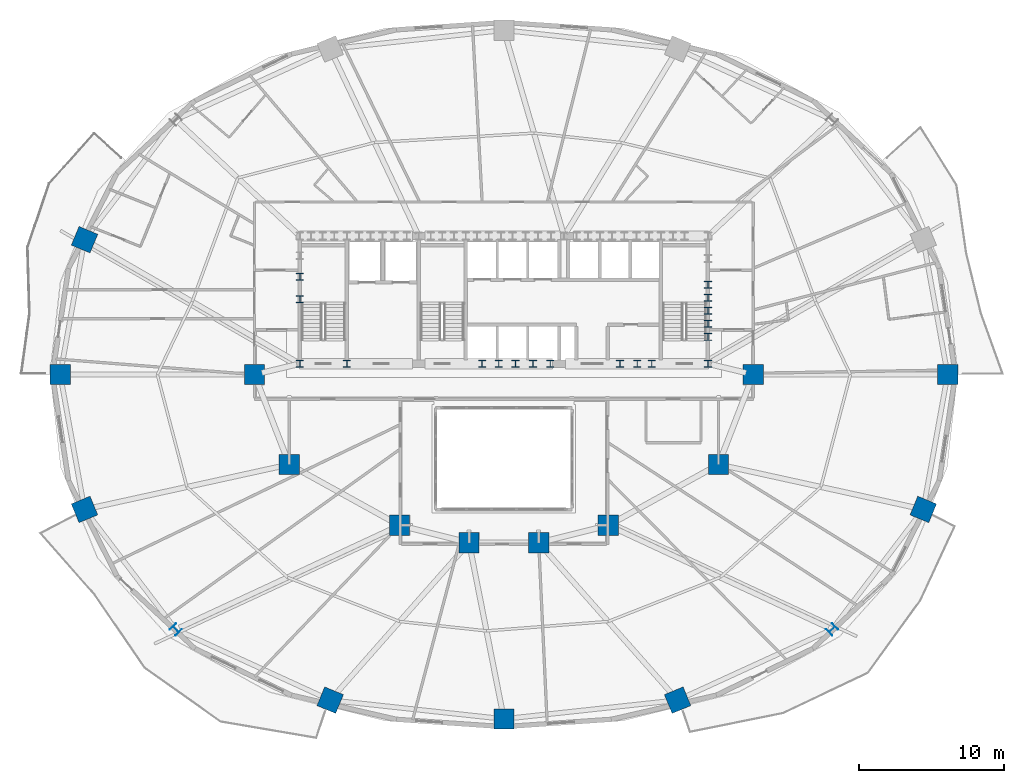
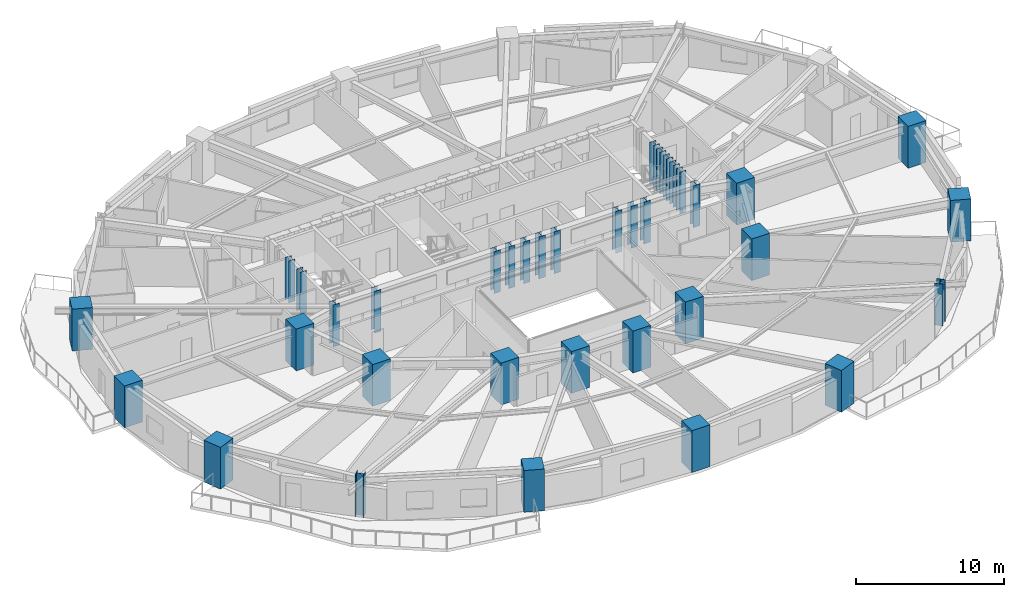
# One storey, part 1 of 17: 36 columns.
"""IFC4 building model written with IfcOpenShell, lengths in metres."""

import ifcopenshell
import ifcopenshell.guid

model = None  # the IFC model being written
_history = None  # IfcOwnerHistory: only IFC2X3 demands one
_inside = {}  # id of a spatial element -> (the spatial element, [elements in it])
_under = {}  # id of a project, library or spatial element -> (it, [spatial elements below it])
_declared = {}  # id of a project -> (the project, [libraries it declares])
_typed = {}  # id of a type object -> (the type object, [elements of that type])
_made_of = {}  # id of a material, layer set ... -> (it, [elements and type objects made of it])


def new_model(schema):
    """Start an empty IFC model of exactly this schema.

    Asked for "IFC4X3", IfcOpenShell would pick the latest addendum, in which some entities
    have other attributes; the version numbers below select the first issue.
    IFC2X3 requires an IfcOwnerHistory on every rooted entity: one is made here for all.
    """
    global model, _history
    if schema == "IFC4X3":
        model = ifcopenshell.file(schema_version=(4, 3, 0, 0))
    else:
        model = ifcopenshell.file(schema=schema)
    _inside.clear()
    _under.clear()
    _declared.clear()
    _typed.clear()
    _made_of.clear()
    _history = None
    if model.schema == "IFC2X3":
        org = make("IfcOrganization", Name="unknown")
        user = make(
            "IfcPersonAndOrganization",
            ThePerson=make("IfcPerson", FamilyName="unknown"),
            TheOrganization=org,
        )
        app = make(
            "IfcApplication",
            ApplicationDeveloper=org,
            Version="unknown",
            ApplicationFullName="unknown",
            ApplicationIdentifier="unknown",
        )
        _history = make(
            "IfcOwnerHistory",
            OwningUser=user,
            OwningApplication=app,
            ChangeAction="ADDED",
            CreationDate=0,
        )
    return model


def make(cls, **values):
    """One entity of the class cls with the attributes given. An attribute that is None is left unset."""
    return model.create_entity(
        cls, **{name: value for name, value in values.items() if value is not None}
    )


def rooted(cls, **values):
    """An entity with a GlobalId (a new one), such as an element, a storey or a relation."""
    return make(cls, GlobalId=ifcopenshell.guid.new(), OwnerHistory=_history, **values)


def si_unit(unit_type, name, prefix=None):
    """IfcSIUnit, for example si_unit("LENGTHUNIT", "METRE", prefix="MILLI")."""
    return make("IfcSIUnit", UnitType=unit_type, Prefix=prefix, Name=name)


def assignment(units):
    """IfcUnitAssignment: the units of a project."""
    return None if units is None else make("IfcUnitAssignment", Units=units)


def point(xyz):
    """IfcCartesianPoint."""
    return None if xyz is None else make("IfcCartesianPoint", Coordinates=xyz)


def direction(xyz):
    """IfcDirection."""
    return None if xyz is None else make("IfcDirection", DirectionRatios=xyz)


def frame(location, z_axis=None, x_axis=None):
    """IfcAxis2Placement3D, a coordinate frame: its origin and axes. An axis left out is left unset."""
    return make(
        "IfcAxis2Placement3D",
        Location=point(location),
        Axis=direction(z_axis),
        RefDirection=direction(x_axis),
    )


def frame_2d(location, x_axis=None):
    """IfcAxis2Placement2D, a coordinate frame in the plane: its origin and x axis."""
    return make(
        "IfcAxis2Placement2D", Location=point(location), RefDirection=direction(x_axis)
    )


def origin():
    """The frame at (0, 0, 0) with its axes left unset."""
    return frame((0.0, 0.0, 0.0))


def origin_2d():
    """The frame at (0, 0) in the plane with its x axis left unset."""
    return frame_2d((0.0, 0.0))


def place(relative_to, where):
    """IfcLocalPlacement: puts the frame where relative to a parent placement (None: the world)."""
    return make(
        "IfcLocalPlacement", PlacementRelTo=relative_to, RelativePlacement=where
    )


def context(
    kind, dimensions, precision=None, world=None, true_north=None, identifier=None
):
    """IfcGeometricRepresentationContext, for example the 3D "Model" context."""
    return make(
        "IfcGeometricRepresentationContext",
        ContextIdentifier=identifier,
        ContextType=kind,
        CoordinateSpaceDimension=dimensions,
        Precision=precision,
        WorldCoordinateSystem=world,
        TrueNorth=true_north,
    )


def subcontext(parent, identifier, kind, view, scale=None):
    """IfcGeometricRepresentationSubContext, for example "Body" below "Model"."""
    return make(
        "IfcGeometricRepresentationSubContext",
        ContextIdentifier=identifier,
        ContextType=kind,
        ParentContext=parent,
        TargetScale=scale,
        TargetView=view,
    )


def project(units=None, contexts=None):
    """IfcProject with its units and contexts."""
    return rooted(
        "IfcProject",
        Name="project",
        RepresentationContexts=contexts,
        UnitsInContext=assignment(units),
    )


def spatial(cls, under=None, at=None, **own):
    """A site, building, storey or space (cls), placed at a placement, below another one or the project."""
    s = rooted(cls, ObjectPlacement=at, **own)
    if under is not None:
        _under.setdefault(under.id(), (under, []))[1].append(s)
    return s


def profile(cls, at=None, kind="AREA", **sizes):
    """A parametric profile (cls). Its sizes go by their IFC names, for example OverallWidth=200.0."""
    return make(cls, ProfileType=kind, Position=at, **sizes)


def rectangle(**sizes):
    """IfcRectangleProfileDef."""
    return profile("IfcRectangleProfileDef", **sizes)


def i_section(**sizes):
    """IfcIShapeProfileDef."""
    return profile("IfcIShapeProfileDef", **sizes)


def extrude(swept, where, along, depth):
    """IfcExtrudedAreaSolid: the profile swept, set in the frame where, extruded along a direction by depth."""
    return make(
        "IfcExtrudedAreaSolid",
        SweptArea=swept,
        Position=where,
        ExtrudedDirection=direction(along),
        Depth=depth,
    )


def shape(context_of_items, identifier, shape_type, items):
    """IfcShapeRepresentation: the items that make up one representation, for example the "Body"."""
    return make(
        "IfcShapeRepresentation",
        ContextOfItems=context_of_items,
        RepresentationIdentifier=identifier,
        RepresentationType=shape_type,
        Items=items,
    )


def material(Name=None, Category=None):
    """IfcMaterial."""
    return make("IfcMaterial", Name=Name, Category=Category)


def material_profile(
    of_material, cross_section, Name=None, Category=None, Priority=None
):
    """IfcMaterialProfile: a cross section and its material."""
    return make(
        "IfcMaterialProfile",
        Name=Name,
        Material=of_material,
        Profile=cross_section,
        Priority=Priority,
        Category=Category,
    )


def profile_set(profiles, Name=None, composite=None):
    """IfcMaterialProfileSet."""
    return make(
        "IfcMaterialProfileSet",
        Name=Name,
        MaterialProfiles=profiles,
        CompositeProfile=composite,
    )


def made_of(thing, what):
    """Note that an element or type object is made of a material, layer set ...; save() writes the relation."""
    if what is not None:
        _made_of.setdefault(what.id(), (what, []))[1].append(thing)
    return thing


def type_object(cls, material=None, **own):
    """A type object (cls), such as IfcWallType, which elements share."""
    return made_of(rooted(cls, **own), material)


def element(
    cls,
    number,
    at=None,
    inside=None,
    cuts=None,
    type_object=None,
    material=None,
    context=None,
    identifier="Body",
    shape_type=None,
    held_by="IfcProductDefinitionShape",
    body=None,
    shapes=None,
    **own,
):
    """One element of the class cls, such as IfcWall. Its Tag is "e" and its number.

    at: its placement. inside: the storey or other place that contains it. cuts: it is an
    opening in that element (IfcRelVoidsElement). A single representation is given by context,
    identifier, shape_type and body (its items); several are given by shapes. held_by: the class
    of the entity that holds the representations. save() writes the other relations.
    """
    e = rooted(cls, Tag="e%d" % number, ObjectPlacement=at, **own)
    if body is not None:
        shapes = [shape(context, identifier, shape_type, body)]
    if shapes is not None:
        e.Representation = make(held_by, Representations=shapes)
    if inside is not None:
        _inside.setdefault(inside.id(), (inside, []))[1].append(e)
    if cuts is not None:
        rooted(
            "IfcRelVoidsElement", RelatingBuildingElement=cuts, RelatedOpeningElement=e
        )
    if type_object is not None:
        _typed.setdefault(type_object.id(), (type_object, []))[1].append(e)
    return made_of(e, material)


def aggregate(whole, parts):
    """IfcRelAggregates: a whole, such as a stair, and the parts it consists of."""
    return rooted("IfcRelAggregates", RelatingObject=whole, RelatedObjects=parts)


def save(model, path):
    """Write the relations noted so far, then the file.

    IfcRelAggregates (storeys below a building ...), IfcRelContainedInSpatialStructure (elements
    in a storey), IfcRelDefinesByType, IfcRelAssociatesMaterial and IfcRelDeclares: one each for
    every whole, place, type object, material and project.
    """
    for whole, parts in _under.values():
        aggregate(whole, parts)
    for where, things in _inside.values():
        rooted(
            "IfcRelContainedInSpatialStructure",
            RelatedElements=things,
            RelatingStructure=where,
        )
    for kind, things in _typed.values():
        rooted("IfcRelDefinesByType", RelatedObjects=things, RelatingType=kind)
    for what, things in _made_of.values():
        rooted("IfcRelAssociatesMaterial", RelatedObjects=things, RelatingMaterial=what)
    for by, libraries in _declared.values():
        rooted("IfcRelDeclares", RelatingContext=by, RelatedDefinitions=libraries)
    model.write(path)


model = new_model("IFC4")

# Units and contexts
model_context = context("Model", 3, precision=1e-05, world=origin(), true_north=direction((0.0, 1.0)))
body_context = subcontext(model_context, "Body", "Model", "MODEL_VIEW")
ifc_project = project(units=[si_unit("LENGTHUNIT", "METRE"), si_unit("AREAUNIT", "SQUARE_METRE"), si_unit("VOLUMEUNIT", "CUBIC_METRE"), si_unit("PLANEANGLEUNIT", "RADIAN"), si_unit("MASSUNIT", "GRAM", prefix="KILO")], contexts=[model_context])

# Site, building, storey
site_placement = place(None, origin())
site = spatial("IfcSite", under=ifc_project, at=site_placement, CompositionType="ELEMENT")
building_placement = place(site_placement, origin())
building = spatial("IfcBuilding", under=site, at=building_placement, Name="Haldorwick Loom Tower", CompositionType="ELEMENT")
storey_placement = place(building_placement, frame((0.0, 0.0, 30.89990234375)))
storey = spatial("IfcBuildingStorey", under=building, at=storey_placement, Name="L07", CompositionType="ELEMENT", Elevation=30.89990234375)

# Columns
ifc_material_1 = material(Name="Concrete C60 (60 MPa)", Category="concrete")
ifc_material_profile_1 = material_profile(ifc_material_1, rectangle(XDim=1.39990234375, YDim=1.39990234375, at=origin_2d()), Name="RC1400X1400", Category="concrete")
ifc_profile_set_1 = profile_set([ifc_material_profile_1], Name="Concrete C60 (60 MPa)")
column_type_1 = type_object("IfcColumnType", Name="STR-COL-MEGA1400", PredefinedType="COLUMN", material=ifc_profile_set_1)
for number, where, z_axis, x_axis, name in (
    (1, (53.199951171875, 26.0, 0.0), (0.0, 0.0, 1.0), (1.0, 0.0, 0.0), "L07 Inner Column IC-01"),
    (2, (50.800048828125, 19.800048828125, 0.0), (0.0, 0.0, 1.0), (1.0, 0.0, 0.0), "L07 Inner Column IC-02"),
    (3, (43.199951171875, 15.60009765625, 0.0), (0.0, 0.0, 1.0), (1.0, 0.0, 0.0), "L07 Inner Column IC-03"),
    (4, (38.39990234375, 14.39990234375, 0.0), (0.0, 0.0, 1.0), (1.0, 0.0, 0.0), "L07 Inner Column IC-04"),
    (5, (33.60009765625, 14.39990234375, 0.0), (0.0, 0.0, 1.0), (1.0, 0.0, 0.0), "L07 Inner Column IC-05"),
    (6, (28.800048828125, 15.60009765625, 0.0), (0.0, 0.0, 1.0), (1.0, 0.0, 0.0), "L07 Inner Column IC-06"),
    (7, (21.199951171875, 19.800048828125, 0.0), (0.0, 0.0, 1.0), (1.0, 0.0, 0.0), "L07 Inner Column IC-07"),
    (8, (18.800048828125, 26.0, 0.0), (0.0, 0.0, 1.0), (1.0, 0.0, 0.0), "L07 Inner Column IC-08"),
):
    element("IfcColumn", number, at=place(storey_placement, frame(where, z_axis=z_axis, x_axis=x_axis)), inside=storey, type_object=column_type_1, Name=name, PredefinedType="COLUMN", context=body_context, shape_type="SweptSolid", body=[
        extrude(rectangle(XDim=1.39990234375, YDim=1.39990234375, at=origin_2d()), origin(), (0.0, 0.0, 1.0), 3.4501953125),
    ])
ifc_material_profile_2 = material_profile(ifc_material_1, rectangle(XDim=1.39990234375, YDim=1.39990234375, at=origin_2d()), Name="RC1400X1400", Category="concrete")
ifc_profile_set_2 = profile_set([ifc_material_profile_2], Name="Concrete C60 (60 MPa)")
column_type_2 = type_object("IfcColumnType", Name="STR-COL-RC1400", PredefinedType="PILASTER", material=ifc_profile_set_2)
for number, where, z_axis, x_axis, name in (
    (9, (66.595947265625, 26.0, 0.0), (0.0, 0.0, 1.0), (1.0, 0.0, 0.0), "L07 Perimeter Pier Column P01"),
    (10, (7.08251953125, 35.29931640625, 0.0), (0.0, 0.0, 1.0), (-0.923879532511, 0.382683432365, 0.0), "L07 Perimeter Pier Column P08"),
    (11, (5.404052734375, 26.0, 0.0), (0.0, 0.0, 1.0), (-1.0, 0.0, 0.0), "L07 Perimeter Pier Column P09"),
    (12, (7.08251953125, 16.70068359375, 0.0), (0.0, 0.0, 1.0), (-0.923879532511, -0.382683432365, 0.0), "L07 Perimeter Pier Column P10"),
    (13, (24.02197265625, 3.5498046875, 0.0), (0.0, 0.0, 1.0), (-0.382683432365, -0.923879532511, 0.0), "L07 Perimeter Pier Column P12"),
    (14, (36.0, 2.25, 0.0), (0.0, 0.0, 1.0), (0.0, -1.0, 0.0), "L07 Perimeter Pier Column P13"),
    (15, (47.97802734375, 3.5498046875, 0.0), (0.0, 0.0, 1.0), (0.382683432365, -0.923879532511, 0.0), "L07 Perimeter Pier Column P14"),
    (16, (64.91748046875, 16.70068359375, 0.0), (0.0, 0.0, 1.0), (0.923879532511, -0.382683432365, 0.0), "L07 Perimeter Pier Column P16"),
):
    element("IfcColumn", number, at=place(storey_placement, frame(where, z_axis=z_axis, x_axis=x_axis)), inside=storey, type_object=column_type_2, Name=name, PredefinedType="PILASTER", context=body_context, shape_type="SweptSolid", body=[
        extrude(rectangle(XDim=1.39990234375, YDim=1.39990234375, at=origin_2d()), origin(), (0.0, 0.0, 1.0), 3.4501953125),
    ])
ifc_material_2 = material(Name="Steel CSA G40.21 350WT", Category="steel")
ifc_material_profile_3 = material_profile(ifc_material_2, i_section(OverallWidth=0.5, OverallDepth=0.5, WebThickness=0.02197265625, FlangeThickness=0.031982421875, at=origin_2d()), Name="WWF500X500", Category="steel")
ifc_profile_set_3 = profile_set([ifc_material_profile_3], Name="Steel CSA G40.21 350WT")
column_type_3 = type_object("IfcColumnType", Name="STR-COL-WWF500", PredefinedType="COLUMN", material=ifc_profile_set_3)
for number, where, z_axis, x_axis, name in (
    (17, (21.929931640625, 26.75, 0.0), (0.0, 0.0, 1.0), (1.0, 0.0, 0.0), "L07 Core Pilaster CB-19"),
    (18, (25.169921875, 26.75, 0.0), (0.0, 0.0, 1.0), (1.0, 0.0, 0.0), "L07 Core Pilaster CB-20"),
    (19, (34.5, 26.75, 0.0), (0.0, 0.0, 1.0), (1.0, 0.0, 0.0), "L07 Core Pilaster CB-21"),
    (20, (36.800048828125, 26.75, 0.0), (0.0, 0.0, 1.0), (1.0, 0.0, 0.0), "L07 Core Pilaster CB-22"),
    (21, (39.199951171875, 26.75, 0.0), (0.0, 0.0, 1.0), (1.0, 0.0, 0.0), "L07 Core Pilaster CB-23"),
    (22, (45.199951171875, 26.75, 0.0), (0.0, 0.0, 1.0), (1.0, 0.0, 0.0), "L07 Core Pilaster CB-24"),
    (23, (50.070068359375, 26.75, 0.0), (0.0, 0.0, 1.0), (1.0, 0.0, 0.0), "L07 Core Pilaster CB-25"),
    (24, (21.929931640625, 31.199951171875, 0.0), (0.0, 0.0, 1.0), (1.0, 0.0, 0.0), "L07 Core Pilaster CB-26"),
    (25, (21.929931640625, 32.75, 0.0), (0.0, 0.0, 1.0), (1.0, 0.0, 0.0), "L07 Core Pilaster CB-27"),
    (26, (50.070068359375, 28.60009765625, 0.0), (0.0, 0.0, 1.0), (1.0, 0.0, 0.0), "L07 Core Pilaster CB-29"),
    (27, (50.070068359375, 30.39990234375, 0.0), (0.0, 0.0, 1.0), (1.0, 0.0, 0.0), "L07 Core Pilaster CB-30"),
    (28, (50.070068359375, 32.199951171875, 0.0), (0.0, 0.0, 1.0), (1.0, 0.0, 0.0), "L07 Core Pilaster CB-31"),
    (29, (50.070068359375, 29.5, 0.0), (0.0, 0.0, 1.0), (1.0, 0.0, 0.0), "L07 Core Pilaster CB-49"),
    (30, (50.070068359375, 31.300048828125, 0.0), (0.0, 0.0, 1.0), (1.0, 0.0, 0.0), "L07 Core Pilaster CB-50"),
    (31, (35.64990234375, 26.75, 0.0), (0.0, 0.0, 1.0), (1.0, 0.0, 0.0), "L07 Core Pilaster CB-51"),
    (32, (38.0, 26.75, 0.0), (0.0, 0.0, 1.0), (1.0, 0.0, 0.0), "L07 Core Pilaster CB-52"),
    (33, (44.0, 26.75, 0.0), (0.0, 0.0, 1.0), (1.0, 0.0, 0.0), "L07 Core Pilaster CB-53"),
    (34, (46.199951171875, 26.75, 0.0), (0.0, 0.0, 1.0), (1.0, 0.0, 0.0), "L07 Core Pilaster CB-54"),
):
    element("IfcColumn", number, at=place(storey_placement, frame(where, z_axis=z_axis, x_axis=x_axis)), inside=storey, type_object=column_type_3, Name=name, PredefinedType="COLUMN", context=body_context, shape_type="SweptSolid", body=[
        extrude(i_section(OverallWidth=0.5, OverallDepth=0.5, WebThickness=0.02197265625, FlangeThickness=0.031982421875, at=origin_2d()), origin(), (0.0, 0.0, 1.0), 3.4501953125),
    ])
ifc_material_profile_4 = material_profile(ifc_material_2, i_section(OverallWidth=0.60009765625, OverallDepth=0.60009765625, WebThickness=0.02490234375, FlangeThickness=0.035888671875, at=origin_2d()), Name="WWF600X600", Category="steel")
ifc_profile_set_4 = profile_set([ifc_material_profile_4], Name="Steel CSA G40.21 350WT")
column_type_4 = type_object("IfcColumnType", Name="STR-COL-WWF600", PredefinedType="COLUMN", material=ifc_profile_set_4)
for number, where, z_axis, x_axis, name in (
    (35, (13.369873046875, 8.428466796875, 0.0), (0.0, 0.0, 1.0), (-0.707106781187, -0.707106781187, 0.0), "L07 Perimeter Pier Column P11"),
    (36, (58.630126953125, 8.428466796875, 0.0), (0.0, 0.0, 1.0), (0.707106781187, -0.707106781187, 0.0), "L07 Perimeter Pier Column P15"),
):
    element("IfcColumn", number, at=place(storey_placement, frame(where, z_axis=z_axis, x_axis=x_axis)), inside=storey, type_object=column_type_4, Name=name, PredefinedType="COLUMN", context=body_context, shape_type="SweptSolid", body=[
        extrude(i_section(OverallWidth=0.60009765625, OverallDepth=0.60009765625, WebThickness=0.02490234375, FlangeThickness=0.035888671875, at=origin_2d()), origin(), (0.0, 0.0, 1.0), 3.4501953125),
    ])

save(model, "model.ifc")
